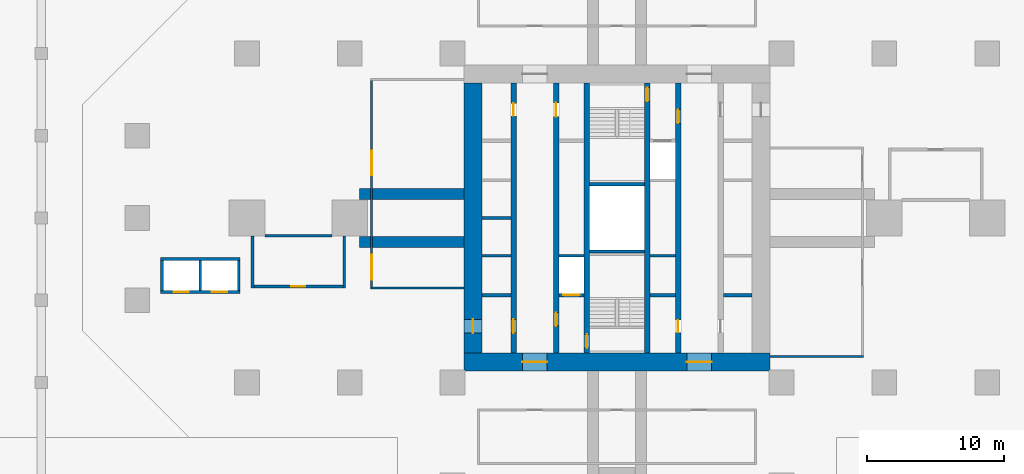
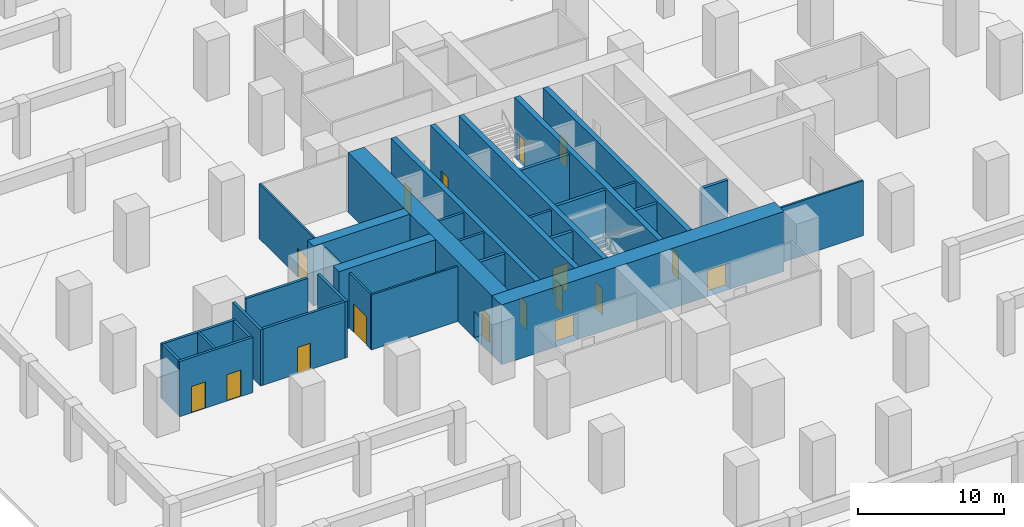
# One storey, part 5 of 20: 31 walls, 17 doors, 17 openings.
"""IFC4 building model written with IfcOpenShell, lengths in metres."""

from ifc_helpers import new_model, si_unit, direction, frame, frame_2d, origin, place, context, subcontext, project, spatial, rectangle, extrude, material, layer, layer_set, type_object, element, fill, save


model = new_model("IFC4")

# Units and contexts
model_context = context("Model", 3, precision=1e-05, world=origin(), true_north=direction((0.0, 1.0)))
body_context = subcontext(model_context, "Body", "Model", "MODEL_VIEW")
ifc_project = project(units=[si_unit("LENGTHUNIT", "METRE"), si_unit("AREAUNIT", "SQUARE_METRE"), si_unit("VOLUMEUNIT", "CUBIC_METRE"), si_unit("PLANEANGLEUNIT", "RADIAN"), si_unit("MASSUNIT", "GRAM", prefix="KILO")], contexts=[model_context])

# Site, building, storey
site_placement = place(None, origin())
site = spatial("IfcSite", under=ifc_project, at=site_placement, CompositionType="ELEMENT")
building_placement = place(site_placement, origin())
building = spatial("IfcBuilding", under=site, at=building_placement, Name="Mizan Broadcast Tower", CompositionType="ELEMENT")
storey_placement = place(building_placement, frame((0.0, 0.0, -5.0)))
storey = spatial("IfcBuildingStorey", under=building, at=storey_placement, Name="B1", CompositionType="ELEMENT", Elevation=-5.0)

# Wall, openings, doors
ifc_material_1 = material(Name="Concrete C70/85", Category="concrete")
ifc_layer_1 = layer(ifc_material_1, 0.39990234375)
ifc_layer_set_1 = layer_set([ifc_layer_1], Name="Concrete C70/85")
wall_type_1 = type_object("IfcWallType", Name="CORE INTERNAL WALL 400", PredefinedType="SHEAR", material=ifc_layer_set_1)
wall_1_placement = place(storey_placement, frame((-7.550048828125, -9.85009765625, 0.0), z_axis=(0.0, 0.0, 1.0), x_axis=(0.0, 1.0, 0.0)))
wall_1 = element("IfcWall", 1, at=wall_1_placement, inside=storey, type_object=wall_type_1, Name="Core wall CORE/XW1", PredefinedType="SHEAR", context=body_context, shape_type="SweptSolid", body=[
    extrude(rectangle(XDim=19.7001953125, YDim=0.39990234375, at=frame_2d((9.85009765625, 0.0))), origin(), (0.0, 0.0, 1.0), 5.0),
])
opening_1_placement = place(wall_1_placement, frame((1.449951171875, 0.0, 0.0)))
opening_1 = element("IfcOpeningElement", 2, at=opening_1_placement, cuts=wall_1, Name="Opening D10F", PredefinedType="OPENING", context=body_context, shape_type="SweptSolid", body=[
    extrude(rectangle(XDim=1.0, YDim=2.199951171875, at=frame_2d((0.5, 1.10009765625))), frame((0.0, 0.2099609375, 0.0), z_axis=(0.0, -1.0, 0.0), x_axis=(1.0, 0.0, 0.0)), (0.0, 0.0, 1.0), 0.419921875),
])
opening_2_placement = place(wall_1_placement, frame((17.300048828125, 0.0, 0.0)))
opening_2 = element("IfcOpeningElement", 3, at=opening_2_placement, cuts=wall_1, Name="Opening D09", PredefinedType="OPENING", context=body_context, shape_type="SweptSolid", body=[
    extrude(rectangle(XDim=0.89990234375, YDim=2.10009765625, at=frame_2d((0.449951171875, 1.050048828125))), frame((0.0, 0.2099609375, 0.0), z_axis=(0.0, -1.0, 0.0), x_axis=(1.0, 0.0, 0.0)), (0.0, 0.0, 1.0), 0.419921875),
])
ifc_material_2 = material(Name="Steel door leaf in steel frame", Category="steel")
door_type_1 = type_object("IfcDoorType", Name="FIRE DOOR 1000 FD90", OperationType="SINGLE_SWING_LEFT", PredefinedType="DOOR", material=ifc_material_2)
door_1_placement = place(opening_1_placement, origin())
door_1 = element("IfcDoor", 4, at=door_1_placement, inside=storey, type_object=door_type_1, Name="West core passage door", OperationType="SINGLE_SWING_LEFT", OverallHeight=2.199951171875, OverallWidth=1.0, PredefinedType="DOOR", context=body_context, shape_type="SweptSolid", body=[
    extrude(rectangle(XDim=1.0, YDim=2.199951171875, at=frame_2d((0.5, 1.10009765625))), frame((0.0, 0.02490234375, 0.0), z_axis=(0.0, -1.0, 0.0), x_axis=(1.0, 0.0, 0.0)), (0.0, 0.0, 1.0), 0.050048828125),
])
fill(opening_1, door_1)
ifc_material_3 = material(Name="Timber door leaf in aluminium frame", Category="wood")
door_type_2 = type_object("IfcDoorType", Name="TOILET DOOR 900", OperationType="SINGLE_SWING_LEFT", PredefinedType="DOOR", material=ifc_material_3)
door_2_placement = place(opening_2_placement, origin())
door_2 = element("IfcDoor", 5, at=door_2_placement, inside=storey, type_object=door_type_2, Name="Male WC door", OperationType="SINGLE_SWING_RIGHT", OverallHeight=2.10009765625, OverallWidth=0.89990234375, PredefinedType="DOOR", context=body_context, shape_type="SweptSolid", body=[
    extrude(rectangle(XDim=0.89990234375, YDim=2.10009765625, at=frame_2d((0.449951171875, 1.050048828125))), frame((0.0, 0.02490234375, 0.0), z_axis=(0.0, -1.0, 0.0), x_axis=(1.0, 0.0, 0.0)), (0.0, 0.0, 1.0), 0.050048828125),
])
fill(opening_2, door_2)

wall_2_placement = place(storey_placement, frame((-4.449951171875, -9.85009765625, 0.0), z_axis=(0.0, 0.0, 1.0), x_axis=(0.0, 1.0, 0.0)))
wall_2 = element("IfcWall", 6, at=wall_2_placement, inside=storey, type_object=wall_type_1, Name="Core wall CORE/XWH", PredefinedType="SHEAR", context=body_context, shape_type="SweptSolid", body=[
    extrude(rectangle(XDim=19.7001953125, YDim=0.39990234375, at=frame_2d((9.85009765625, 0.0))), origin(), (0.0, 0.0, 1.0), 5.0),
])
opening_3_placement = place(wall_2_placement, frame((1.949951171875, 0.0, 0.0)))
opening_3 = element("IfcOpeningElement", 7, at=opening_3_placement, cuts=wall_2, Name="Opening D10F", PredefinedType="OPENING", context=body_context, shape_type="SweptSolid", body=[
    extrude(rectangle(XDim=1.0, YDim=2.199951171875, at=frame_2d((0.5, 1.10009765625))), frame((0.0, 0.2099609375, 0.0), z_axis=(0.0, -1.0, 0.0), x_axis=(1.0, 0.0, 0.0)), (0.0, 0.0, 1.0), 0.419921875),
])
opening_4_placement = place(wall_2_placement, frame((17.25, 0.0, 0.0)))
opening_4 = element("IfcOpeningElement", 8, at=opening_4_placement, cuts=wall_2, Name="Opening D10A", PredefinedType="OPENING", context=body_context, shape_type="SweptSolid", body=[
    extrude(rectangle(XDim=1.0, YDim=2.10009765625, at=frame_2d((0.5, 1.050048828125))), frame((0.0, 0.2099609375, 0.0), z_axis=(0.0, -1.0, 0.0), x_axis=(1.0, 0.0, 0.0)), (0.0, 0.0, 1.0), 0.419921875),
])
ifc_material_4 = material(Name="Timber door leaf in aluminium frame", Category="wood")
door_type_3 = type_object("IfcDoorType", Name="ACCESSIBLE WC DOOR 1000", OperationType="SLIDING_TO_LEFT", PredefinedType="DOOR", material=ifc_material_4)
door_3_placement = place(opening_4_placement, origin())
door_3 = element("IfcDoor", 9, at=door_3_placement, inside=storey, type_object=door_type_3, Name="Accessible WC door", OperationType="SLIDING_TO_LEFT", OverallHeight=2.10009765625, OverallWidth=1.0, PredefinedType="DOOR", context=body_context, shape_type="SweptSolid", body=[
    extrude(rectangle(XDim=1.0, YDim=2.10009765625, at=frame_2d((0.5, 1.050048828125))), frame((0.0, 0.02490234375, 0.0), z_axis=(0.0, -1.0, 0.0), x_axis=(1.0, 0.0, 0.0)), (0.0, 0.0, 1.0), 0.050048828125),
])
fill(opening_4, door_3)
door_4_placement = place(opening_3_placement, origin())
door_4 = element("IfcDoor", 10, at=door_4_placement, inside=storey, type_object=door_type_1, Name="Firefighting lobby A door", OperationType="SINGLE_SWING_LEFT", OverallHeight=2.199951171875, OverallWidth=1.0, PredefinedType="DOOR", context=body_context, shape_type="SweptSolid", body=[
    extrude(rectangle(XDim=1.0, YDim=2.199951171875, at=frame_2d((0.5, 1.10009765625))), frame((0.0, 0.02490234375, 0.0), z_axis=(0.0, -1.0, 0.0), x_axis=(1.0, 0.0, 0.0)), (0.0, 0.0, 1.0), 0.050048828125),
])
fill(opening_3, door_4)

wall_3_placement = place(storey_placement, frame((4.449951171875, 9.85009765625, 0.0), z_axis=(0.0, 0.0, 1.0), x_axis=(0.0, -1.0, 0.0)))
wall_3 = element("IfcWall", 11, at=wall_3_placement, inside=storey, type_object=wall_type_1, Name="Core wall CORE/XWHE", PredefinedType="SHEAR", context=body_context, shape_type="SweptSolid", body=[
    extrude(rectangle(XDim=19.7001953125, YDim=0.39990234375, at=frame_2d((9.85009765625, 0.0))), origin(), (0.0, 0.0, 1.0), 5.0),
])
opening_5_placement = place(wall_3_placement, frame((1.949951171875, 0.0, 0.0)))
opening_5 = element("IfcOpeningElement", 12, at=opening_5_placement, cuts=wall_3, Name="Opening D10F", PredefinedType="OPENING", context=body_context, shape_type="SweptSolid", body=[
    extrude(rectangle(XDim=1.0, YDim=2.199951171875, at=frame_2d((0.5, 1.10009765625))), frame((0.0, 0.2099609375, 0.0), z_axis=(0.0, -1.0, 0.0), x_axis=(1.0, 0.0, 0.0)), (0.0, 0.0, 1.0), 0.419921875),
])
opening_6_placement = place(wall_3_placement, frame((17.300048828125, 0.0, 0.0)))
opening_6 = element("IfcOpeningElement", 13, at=opening_6_placement, cuts=wall_3, Name="Opening D09", PredefinedType="OPENING", context=body_context, shape_type="SweptSolid", body=[
    extrude(rectangle(XDim=0.89990234375, YDim=2.10009765625, at=frame_2d((0.449951171875, 1.050048828125))), frame((0.0, 0.2099609375, 0.0), z_axis=(0.0, -1.0, 0.0), x_axis=(1.0, 0.0, 0.0)), (0.0, 0.0, 1.0), 0.419921875),
])
door_5_placement = place(opening_5_placement, origin())
door_5 = element("IfcDoor", 14, at=door_5_placement, inside=storey, type_object=door_type_1, Name="Firefighting lobby B door", OperationType="SINGLE_SWING_LEFT", OverallHeight=2.199951171875, OverallWidth=1.0, PredefinedType="DOOR", context=body_context, shape_type="SweptSolid", body=[
    extrude(rectangle(XDim=1.0, YDim=2.199951171875, at=frame_2d((0.5, 1.10009765625))), frame((0.0, 0.02490234375, 0.0), z_axis=(0.0, -1.0, 0.0), x_axis=(1.0, 0.0, 0.0)), (0.0, 0.0, 1.0), 0.050048828125),
])
fill(opening_5, door_5)
door_6_placement = place(opening_6_placement, origin())
door_6 = element("IfcDoor", 15, at=door_6_placement, inside=storey, type_object=door_type_2, Name="Cleaner's store door", OperationType="SINGLE_SWING_RIGHT", OverallHeight=2.10009765625, OverallWidth=0.89990234375, PredefinedType="DOOR", context=body_context, shape_type="SweptSolid", body=[
    extrude(rectangle(XDim=0.89990234375, YDim=2.10009765625, at=frame_2d((0.449951171875, 1.050048828125))), frame((0.0, 0.02490234375, 0.0), z_axis=(0.0, -1.0, 0.0), x_axis=(1.0, 0.0, 0.0)), (0.0, 0.0, 1.0), 0.050048828125),
])
fill(opening_6, door_6)

# Wall, opening, door
wall_4_placement = place(storey_placement, frame((-2.199951171875, -9.85009765625, 0.0), z_axis=(0.0, 0.0, 1.0), x_axis=(0.0, 1.0, 0.0)))
wall_4 = element("IfcWall", 16, at=wall_4_placement, inside=storey, type_object=wall_type_1, Name="Core wall CORE/XW2", PredefinedType="SHEAR", context=body_context, shape_type="SweptSolid", body=[
    extrude(rectangle(XDim=19.7001953125, YDim=0.39990234375, at=frame_2d((9.85009765625, 0.0))), origin(), (0.0, 0.0, 1.0), 5.0),
])
opening_7_placement = place(wall_4_placement, frame((0.35009765625, 0.0, 0.0)))
opening_7 = element("IfcOpeningElement", 17, at=opening_7_placement, cuts=wall_4, Name="Opening D10S", PredefinedType="OPENING", context=body_context, shape_type="SweptSolid", body=[
    extrude(rectangle(XDim=1.0, YDim=2.199951171875, at=frame_2d((0.5, 1.10009765625))), frame((0.0, 0.2099609375, 0.0), z_axis=(0.0, -1.0, 0.0), x_axis=(1.0, 0.0, 0.0)), (0.0, 0.0, 1.0), 0.419921875),
])
ifc_material_5 = material(Name="Steel door leaf in steel frame", Category="steel")
door_type_4 = type_object("IfcDoorType", Name="STAIR DOOR 1000 FD90S", OperationType="SINGLE_SWING_RIGHT", PredefinedType="DOOR", material=ifc_material_5)
door_7_placement = place(opening_7_placement, origin())
door_7 = element("IfcDoor", 18, at=door_7_placement, inside=storey, type_object=door_type_4, Name="Stair A door", OperationType="SINGLE_SWING_RIGHT", OverallHeight=2.199951171875, OverallWidth=1.0, PredefinedType="DOOR", context=body_context, shape_type="SweptSolid", body=[
    extrude(rectangle(XDim=1.0, YDim=2.199951171875, at=frame_2d((0.5, 1.10009765625))), frame((0.0, 0.02490234375, 0.0), z_axis=(0.0, -1.0, 0.0), x_axis=(1.0, 0.0, 0.0)), (0.0, 0.0, 1.0), 0.050048828125),
])
fill(opening_7, door_7)

wall_5_placement = place(storey_placement, frame((2.199951171875, 9.85009765625, 0.0), z_axis=(0.0, 0.0, 1.0), x_axis=(0.0, -1.0, 0.0)))
wall_5 = element("IfcWall", 19, at=wall_5_placement, inside=storey, type_object=wall_type_1, Name="Core wall CORE/XW2E", PredefinedType="SHEAR", context=body_context, shape_type="SweptSolid", body=[
    extrude(rectangle(XDim=19.7001953125, YDim=0.39990234375, at=frame_2d((9.85009765625, 0.0))), origin(), (0.0, 0.0, 1.0), 5.0),
])
opening_8_placement = place(wall_5_placement, frame((0.35009765625, 0.0, 0.0)))
opening_8 = element("IfcOpeningElement", 20, at=opening_8_placement, cuts=wall_5, Name="Opening D10S", PredefinedType="OPENING", context=body_context, shape_type="SweptSolid", body=[
    extrude(rectangle(XDim=1.0, YDim=2.199951171875, at=frame_2d((0.5, 1.10009765625))), frame((0.0, 0.2099609375, 0.0), z_axis=(0.0, -1.0, 0.0), x_axis=(1.0, 0.0, 0.0)), (0.0, 0.0, 1.0), 0.419921875),
])
door_8_placement = place(opening_8_placement, origin())
door_8 = element("IfcDoor", 21, at=door_8_placement, inside=storey, type_object=door_type_4, Name="Stair B door", OperationType="SINGLE_SWING_RIGHT", OverallHeight=2.199951171875, OverallWidth=1.0, PredefinedType="DOOR", context=body_context, shape_type="SweptSolid", body=[
    extrude(rectangle(XDim=1.0, YDim=2.199951171875, at=frame_2d((0.5, 1.10009765625))), frame((0.0, 0.02490234375, 0.0), z_axis=(0.0, -1.0, 0.0), x_axis=(1.0, 0.0, 0.0)), (0.0, 0.0, 1.0), 0.050048828125),
])
fill(opening_8, door_8)

# Wall, openings, doors
ifc_material_6 = material(Name="Concrete C70/85", Category="concrete")
ifc_layer_2 = layer(ifc_material_6, 1.300048828125)
ifc_layer_set_2 = layer_set([ifc_layer_2], Name="Concrete C70/85")
wall_type_2 = type_object("IfcWallType", Name="CORE WALL 1300", PredefinedType="SHEAR", material=ifc_layer_set_2)
wall_6_placement = place(storey_placement, frame((11.14990234375, -10.5, 0.0), z_axis=(0.0, 0.0, 1.0), x_axis=(-1.0, 0.0, 0.0)))
wall_6 = element("IfcWall", 22, at=wall_6_placement, inside=storey, type_object=wall_type_2, Name="Core wall S B1", PredefinedType="SHEAR", context=body_context, shape_type="SweptSolid", body=[
    extrude(rectangle(XDim=22.2998046875, YDim=1.300048828125, at=frame_2d((11.14990234375, 0.0))), origin(), (0.0, 0.0, 1.0), 5.0),
])
opening_9_placement = place(wall_6_placement, frame((16.25, 0.0, 0.0)))
opening_9 = element("IfcOpeningElement", 23, at=opening_9_placement, cuts=wall_6, Name="Opening D18F", PredefinedType="OPENING", context=body_context, shape_type="SweptSolid", body=[
    extrude(rectangle(XDim=1.800048828125, YDim=2.199951171875, at=frame_2d((0.89990234375, 1.10009765625))), frame((0.0, 0.659912109375, 0.0), z_axis=(0.0, -1.0, 0.0), x_axis=(1.0, 0.0, 0.0)), (0.0, 0.0, 1.0), 1.320068359375),
])
opening_10_placement = place(wall_6_placement, frame((4.25, 0.0, 0.0)))
opening_10 = element("IfcOpeningElement", 24, at=opening_10_placement, cuts=wall_6, Name="Opening D18F", PredefinedType="OPENING", context=body_context, shape_type="SweptSolid", body=[
    extrude(rectangle(XDim=1.800048828125, YDim=2.199951171875, at=frame_2d((0.89990234375, 1.10009765625))), frame((0.0, 0.659912109375, 0.0), z_axis=(0.0, -1.0, 0.0), x_axis=(1.0, 0.0, 0.0)), (0.0, 0.0, 1.0), 1.320068359375),
])
ifc_material_7 = material(Name="Steel door leaf in steel frame", Category="steel")
door_type_5 = type_object("IfcDoorType", Name="LOBBY DOUBLE DOOR 1800 FD90", OperationType="DOUBLE_DOOR_DOUBLE_SWING", PredefinedType="DOOR", material=ifc_material_7)
door_9_placement = place(opening_9_placement, origin())
door_9 = element("IfcDoor", 25, at=door_9_placement, inside=storey, type_object=door_type_5, Name="West lift lobby south door", OperationType="DOUBLE_DOOR_DOUBLE_SWING", OverallHeight=2.199951171875, OverallWidth=1.800048828125, PredefinedType="DOOR", context=body_context, shape_type="SweptSolid", body=[
    extrude(rectangle(XDim=1.800048828125, YDim=2.199951171875, at=frame_2d((0.89990234375, 1.10009765625))), frame((0.0, 0.02490234375, 0.0), z_axis=(0.0, -1.0, 0.0), x_axis=(1.0, 0.0, 0.0)), (0.0, 0.0, 1.0), 0.050048828125),
])
fill(opening_9, door_9)
door_10_placement = place(opening_10_placement, origin())
door_10 = element("IfcDoor", 26, at=door_10_placement, inside=storey, type_object=door_type_5, Name="East lift lobby south door", OperationType="DOUBLE_DOOR_DOUBLE_SWING", OverallHeight=2.199951171875, OverallWidth=1.800048828125, PredefinedType="DOOR", context=body_context, shape_type="SweptSolid", body=[
    extrude(rectangle(XDim=1.800048828125, YDim=2.199951171875, at=frame_2d((0.89990234375, 1.10009765625))), frame((0.0, 0.02490234375, 0.0), z_axis=(0.0, -1.0, 0.0), x_axis=(1.0, 0.0, 0.0)), (0.0, 0.0, 1.0), 0.050048828125),
])
fill(opening_10, door_10)

# Wall, opening, door
wall_7_placement = place(storey_placement, frame((-10.5, 9.85009765625, 0.0), z_axis=(0.0, 0.0, 1.0), x_axis=(0.0, -1.0, 0.0)))
wall_7 = element("IfcWall", 27, at=wall_7_placement, inside=storey, type_object=wall_type_2, Name="Core wall W B1", PredefinedType="SHEAR", context=body_context, shape_type="SweptSolid", body=[
    extrude(rectangle(XDim=19.7001953125, YDim=1.300048828125, at=frame_2d((9.85009765625, 0.0))), origin(), (0.0, 0.0, 1.0), 5.0),
])
opening_11_placement = place(wall_7_placement, frame((17.25, 0.0, 0.0)))
opening_11 = element("IfcOpeningElement", 28, at=opening_11_placement, cuts=wall_7, Name="Opening D10F", PredefinedType="OPENING", context=body_context, shape_type="SweptSolid", body=[
    extrude(rectangle(XDim=1.0, YDim=2.199951171875, at=frame_2d((0.5, 1.10009765625))), frame((0.0, 0.659912109375, 0.0), z_axis=(0.0, -1.0, 0.0), x_axis=(1.0, 0.0, 0.0)), (0.0, 0.0, 1.0), 1.320068359375),
])
door_11_placement = place(opening_11_placement, origin())
door_11 = element("IfcDoor", 29, at=door_11_placement, inside=storey, type_object=door_type_1, Name="West core passage arm door", OperationType="SINGLE_SWING_RIGHT", OverallHeight=2.199951171875, OverallWidth=1.0, PredefinedType="DOOR", context=body_context, shape_type="SweptSolid", body=[
    extrude(rectangle(XDim=1.0, YDim=2.199951171875, at=frame_2d((0.5, 1.10009765625))), frame((0.0, 0.02490234375, 0.0), z_axis=(0.0, -1.0, 0.0), x_axis=(1.0, 0.0, 0.0)), (0.0, 0.0, 1.0), 0.050048828125),
])
fill(opening_11, door_11)

# Walls
ifc_material_8 = material(Name="Concrete blockwork", Category="masonry")
ifc_layer_3 = layer(ifc_material_8, 0.199951171875)
ifc_layer_set_3 = layer_set([ifc_layer_3], Name="Concrete blockwork")
wall_type_3 = type_object("IfcWallType", Name="LIFT SHAFT WALL 200", PredefinedType="SOLIDWALL", material=ifc_layer_set_3)
wall_8_placement = place(storey_placement, frame((-9.85009765625, -2.75, 0.0), z_axis=(0.0, 0.0, 1.0), x_axis=(1.0, 0.0, 0.0)))
element("IfcWall", 30, at=wall_8_placement, inside=storey, type_object=wall_type_3, Name="Lift shaft wall CORE/SW1-1", PredefinedType="SOLIDWALL", context=body_context, shape_type="SweptSolid", body=[
    extrude(rectangle(XDim=2.10009765625, YDim=0.199951171875, at=frame_2d((1.050048828125, 0.0))), origin(), (0.0, 0.0, 1.0), 4.800048828125),
])
for number, where, z_axis, x_axis, name in (
    (31, (-4.25, -2.75, 0.0), (0.0, 0.0, 1.0), (1.0, 0.0, 0.0), "Lift shaft wall CORE/SW2-1"),
    (32, (2.39990234375, -2.75, 0.0), (0.0, 0.0, 1.0), (1.0, 0.0, 0.0), "Lift shaft wall CORE/SE2-1"),
):
    element("IfcWall", number, at=place(storey_placement, frame(where, z_axis=z_axis, x_axis=x_axis)), inside=storey, type_object=wall_type_3, Name=name, PredefinedType="SOLIDWALL", context=body_context, shape_type="SweptSolid", body=[
        extrude(rectangle(XDim=1.85009765625, YDim=0.199951171875, at=frame_2d((0.925048828125, 0.0))), origin(), (0.0, 0.0, 1.0), 4.800048828125),
    ])
wall_9_placement = place(storey_placement, frame((-9.85009765625, 0.0, 0.0), z_axis=(0.0, 0.0, 1.0), x_axis=(1.0, 0.0, 0.0)))
element("IfcWall", 33, at=wall_9_placement, inside=storey, type_object=wall_type_3, Name="Lift shaft wall CORE/SW1-2", PredefinedType="SOLIDWALL", context=body_context, shape_type="SweptSolid", body=[
    extrude(rectangle(XDim=2.10009765625, YDim=0.199951171875, at=frame_2d((1.050048828125, 0.0))), origin(), (0.0, 0.0, 1.0), 4.800048828125),
])
wall_10_placement = place(storey_placement, frame((-27.5, -3.0, 0.0), z_axis=(0.0, 0.0, 1.0), x_axis=(-1.0, 0.0, 0.0)))
element("IfcWall", 34, at=wall_10_placement, inside=storey, type_object=wall_type_3, Name="Lift shaft wall PLS/V0", PredefinedType="SOLIDWALL", context=body_context, shape_type="SweptSolid", body=[
    extrude(rectangle(XDim=5.800048828125, YDim=0.199951171875, at=frame_2d((2.89990234375, 0.0))), origin(), (0.0, 0.0, 1.0), 4.60009765625),
])

# Wall, openings, doors
wall_11_placement = place(storey_placement, frame((-33.300048828125, -5.39990234375, 0.0), z_axis=(0.0, 0.0, 1.0), x_axis=(1.0, 0.0, 0.0)))
wall_11 = element("IfcWall", 35, at=wall_11_placement, inside=storey, type_object=wall_type_3, Name="Lift shaft wall PLS/V1", PredefinedType="SOLIDWALL", context=body_context, shape_type="SweptSolid", body=[
    extrude(rectangle(XDim=5.800048828125, YDim=0.199951171875, at=frame_2d((2.89990234375, 0.0))), origin(), (0.0, 0.0, 1.0), 4.60009765625),
])
opening_12_placement = place(wall_11_placement, frame((3.75, 0.0, 0.0)))
opening_12 = element("IfcOpeningElement", 36, at=opening_12_placement, cuts=wall_11, Name="Opening LDP", PredefinedType="OPENING", context=body_context, shape_type="SweptSolid", body=[
    extrude(rectangle(XDim=1.10009765625, YDim=2.199951171875, at=frame_2d((0.550048828125, 1.10009765625))), frame((0.0, 0.10986328125, 0.0), z_axis=(0.0, -1.0, 0.0), x_axis=(1.0, 0.0, 0.0)), (0.0, 0.0, 1.0), 0.219970703125),
])
opening_13_placement = place(wall_11_placement, frame((0.949951171875, 0.0, 0.0)))
opening_13 = element("IfcOpeningElement", 37, at=opening_13_placement, cuts=wall_11, Name="Opening LDP", PredefinedType="OPENING", context=body_context, shape_type="SweptSolid", body=[
    extrude(rectangle(XDim=1.10009765625, YDim=2.199951171875, at=frame_2d((0.550048828125, 1.10009765625))), frame((0.0, 0.10986328125, 0.0), z_axis=(0.0, -1.0, 0.0), x_axis=(1.0, 0.0, 0.0)), (0.0, 0.0, 1.0), 0.219970703125),
])
ifc_material_9 = material(Name="Steel door leaf in steel frame", Category="steel")
door_type_6 = type_object("IfcDoorType", Name="PODIUM LIFT LANDING DOOR 1100", OperationType="SLIDING_TO_LEFT", PredefinedType="DOOR", material=ifc_material_9)
door_12_placement = place(opening_12_placement, origin())
door_12 = element("IfcDoor", 38, at=door_12_placement, inside=storey, type_object=door_type_6, Name="Landing door PL1", OperationType="SLIDING_TO_LEFT", OverallHeight=2.199951171875, OverallWidth=1.10009765625, PredefinedType="DOOR", context=body_context, shape_type="SweptSolid", body=[
    extrude(rectangle(XDim=1.10009765625, YDim=2.199951171875, at=frame_2d((0.550048828125, 1.10009765625))), frame((0.0, 0.02490234375, 0.0), z_axis=(0.0, -1.0, 0.0), x_axis=(1.0, 0.0, 0.0)), (0.0, 0.0, 1.0), 0.050048828125),
])
fill(opening_12, door_12)
door_13_placement = place(opening_13_placement, origin())
door_13 = element("IfcDoor", 39, at=door_13_placement, inside=storey, type_object=door_type_6, Name="Landing door PL2", OperationType="SLIDING_TO_LEFT", OverallHeight=2.199951171875, OverallWidth=1.10009765625, PredefinedType="DOOR", context=body_context, shape_type="SweptSolid", body=[
    extrude(rectangle(XDim=1.10009765625, YDim=2.199951171875, at=frame_2d((0.550048828125, 1.10009765625))), frame((0.0, 0.02490234375, 0.0), z_axis=(0.0, -1.0, 0.0), x_axis=(1.0, 0.0, 0.0)), (0.0, 0.0, 1.0), 0.050048828125),
])
fill(opening_13, door_13)

# Walls
for number, where, z_axis, x_axis, name in (
    (40, (-27.60009765625, -3.10009765625, 0.0), (0.0, 0.0, 1.0), (0.0, -1.0, 0.0), "Lift shaft wall PLS/U0"),
    (41, (-30.39990234375, -3.10009765625, 0.0), (0.0, 0.0, 1.0), (0.0, -1.0, 0.0), "Lift shaft wall PLS/U1"),
    (42, (-33.199951171875, -3.10009765625, 0.0), (0.0, 0.0, 1.0), (0.0, -1.0, 0.0), "Lift shaft wall PLS/U2"),
):
    element("IfcWall", number, at=place(storey_placement, frame(where, z_axis=z_axis, x_axis=x_axis)), inside=storey, type_object=wall_type_3, Name=name, PredefinedType="SOLIDWALL", context=body_context, shape_type="SweptSolid", body=[
        extrude(rectangle(XDim=2.199951171875, YDim=0.199951171875, at=frame_2d((1.10009765625, 0.0))), origin(), (0.0, 0.0, 1.0), 4.60009765625),
    ])
ifc_material_10 = material(Name="Concrete blockwork", Category="masonry")
ifc_layer_4 = layer(ifc_material_10, 0.25)
ifc_layer_set_4 = layer_set([ifc_layer_4], Name="Concrete blockwork")
wall_type_4 = type_object("IfcWallType", Name="LOBBY ENCLOSURE WALL 250", PredefinedType="SOLIDWALL", material=ifc_layer_set_4)
wall_12_placement = place(storey_placement, frame((-9.85009765625, -5.625, 0.0), z_axis=(0.0, 0.0, 1.0), x_axis=(1.0, 0.0, 0.0)))
element("IfcWall", 43, at=wall_12_placement, inside=storey, type_object=wall_type_4, Name="Lobby enclosure wall CORE/BW1S", PredefinedType="SOLIDWALL", context=body_context, shape_type="SweptSolid", body=[
    extrude(rectangle(XDim=2.10009765625, YDim=0.25, at=frame_2d((1.050048828125, 0.0))), origin(), (0.0, 0.0, 1.0), 4.800048828125),
])

# Wall, opening, door
wall_13_placement = place(storey_placement, frame((-4.25, -5.625, 0.0), z_axis=(0.0, 0.0, 1.0), x_axis=(1.0, 0.0, 0.0)))
wall_13 = element("IfcWall", 44, at=wall_13_placement, inside=storey, type_object=wall_type_4, Name="Lobby enclosure wall CORE/BW2S", PredefinedType="SOLIDWALL", context=body_context, shape_type="SweptSolid", body=[
    extrude(rectangle(XDim=1.85009765625, YDim=0.25, at=frame_2d((0.925048828125, 0.0))), origin(), (0.0, 0.0, 1.0), 4.800048828125),
])
opening_14_placement = place(wall_13_placement, frame((0.324951171875, 0.0, 0.0)))
opening_14 = element("IfcOpeningElement", 45, at=opening_14_placement, cuts=wall_13, Name="Opening LDF", PredefinedType="OPENING", context=body_context, shape_type="SweptSolid", body=[
    extrude(rectangle(XDim=1.199951171875, YDim=2.199951171875, at=frame_2d((0.60009765625, 1.10009765625))), frame((0.0, 0.135009765625, 0.0), z_axis=(0.0, -1.0, 0.0), x_axis=(1.0, 0.0, 0.0)), (0.0, 0.0, 1.0), 0.27001953125),
])
ifc_material_11 = material(Name="Steel door leaf in steel frame", Category="steel")
door_type_7 = type_object("IfcDoorType", Name="FIREFIGHTING LIFT LANDING DOOR 1200", OperationType="SLIDING_TO_LEFT", PredefinedType="DOOR", material=ifc_material_11)
door_14_placement = place(opening_14_placement, origin())
door_14 = element("IfcDoor", 46, at=door_14_placement, inside=storey, type_object=door_type_7, Name="Landing door FF1", OperationType="SLIDING_TO_LEFT", OverallHeight=2.199951171875, OverallWidth=1.199951171875, PredefinedType="DOOR", context=body_context, shape_type="SweptSolid", body=[
    extrude(rectangle(XDim=1.199951171875, YDim=2.199951171875, at=frame_2d((0.60009765625, 1.10009765625))), frame((0.0, 0.02490234375, 0.0), z_axis=(0.0, -1.0, 0.0), x_axis=(1.0, 0.0, 0.0)), (0.0, 0.0, 1.0), 0.050048828125),
])
fill(opening_14, door_14)

# Walls
wall_14_placement = place(storey_placement, frame((2.39990234375, -5.625, 0.0), z_axis=(0.0, 0.0, 1.0), x_axis=(1.0, 0.0, 0.0)))
element("IfcWall", 47, at=wall_14_placement, inside=storey, type_object=wall_type_4, Name="Lobby enclosure wall CORE/BE2S", PredefinedType="SOLIDWALL", context=body_context, shape_type="SweptSolid", body=[
    extrude(rectangle(XDim=1.85009765625, YDim=0.25, at=frame_2d((0.925048828125, 0.0))), origin(), (0.0, 0.0, 1.0), 4.800048828125),
])
wall_15_placement = place(storey_placement, frame((7.75, -5.625, 0.0), z_axis=(0.0, 0.0, 1.0), x_axis=(1.0, 0.0, 0.0)))
element("IfcWall", 48, at=wall_15_placement, inside=storey, type_object=wall_type_4, Name="Lobby enclosure wall CORE/BE1S", PredefinedType="SOLIDWALL", context=body_context, shape_type="SweptSolid", body=[
    extrude(rectangle(XDim=2.10009765625, YDim=0.25, at=frame_2d((1.050048828125, 0.0))), origin(), (0.0, 0.0, 1.0), 4.800048828125),
])
for number, where, z_axis, x_axis, name in (
    (49, (-2.0, -2.449951171875, 0.0), (0.0, 0.0, 1.0), (1.0, 0.0, 0.0), "Lobby enclosure wall CORE/STA"),
    (50, (-2.0, 2.449951171875, 0.0), (0.0, 0.0, 1.0), (1.0, 0.0, 0.0), "Lobby enclosure wall CORE/STB"),
):
    element("IfcWall", number, at=place(storey_placement, frame(where, z_axis=z_axis, x_axis=x_axis)), inside=storey, type_object=wall_type_4, Name=name, PredefinedType="SOLIDWALL", context=body_context, shape_type="SweptSolid", body=[
        extrude(rectangle(XDim=4.0, YDim=0.25, at=frame_2d((2.0, 0.0))), origin(), (0.0, 0.0, 1.0), 4.800048828125),
    ])
ifc_material_12 = material(Name="Concrete blockwork", Category="masonry")
ifc_layer_5 = layer(ifc_material_12, 0.14990234375)
ifc_layer_set_5 = layer_set([ifc_layer_5], Name="Concrete blockwork")
wall_type_5 = type_object("IfcWallType", Name="PLANT ROOM ENCLOSURE WALL 150", PredefinedType="SOLIDWALL", material=ifc_layer_set_5)
for number, where, z_axis, x_axis, name in (
    (51, (11.14990234375, -10.10009765625, 0.0), (0.0, 0.0, 1.0), (1.0, 0.0, 0.0), "Plant room wall PT/ES"),
    (52, (-11.14990234375, -5.10009765625, 0.0), (0.0, 0.0, 1.0), (-1.0, 0.0, 0.0), "Plant room wall PT/WN"),
):
    element("IfcWall", number, at=place(storey_placement, frame(where, z_axis=z_axis, x_axis=x_axis)), inside=storey, type_object=wall_type_5, Name=name, PredefinedType="SOLIDWALL", context=body_context, shape_type="SweptSolid", body=[
        extrude(rectangle(XDim=6.8251953125, YDim=0.14990234375, at=frame_2d((3.41259765625, 0.0))), origin(), (0.0, 0.0, 1.0), 4.60009765625),
    ])

# Wall, openings, doors
wall_16_placement = place(storey_placement, frame((-17.89990234375, 10.175048828125, 0.0), z_axis=(0.0, 0.0, 1.0), x_axis=(0.0, -1.0, 0.0)))
wall_16 = element("IfcWall", 53, at=wall_16_placement, inside=storey, type_object=wall_type_5, Name="Plant room wall PT/WX", PredefinedType="SOLIDWALL", context=body_context, shape_type="SweptSolid", body=[
    extrude(rectangle(XDim=15.35009765625, YDim=0.14990234375, at=frame_2d((7.675048828125, 0.0))), origin(), (0.0, 0.0, 1.0), 4.60009765625),
])
opening_15_placement = place(wall_16_placement, frame((5.27490234375, 0.0, 0.0)))
opening_15 = element("IfcOpeningElement", 54, at=opening_15_placement, cuts=wall_16, Name="Opening D18P", PredefinedType="OPENING", context=body_context, shape_type="SweptSolid", body=[
    extrude(rectangle(XDim=1.800048828125, YDim=2.39990234375, at=frame_2d((0.89990234375, 1.199951171875))), frame((0.0, 0.0849609375, 0.0), z_axis=(0.0, -1.0, 0.0), x_axis=(1.0, 0.0, 0.0)), (0.0, 0.0, 1.0), 0.169921875),
])
opening_16_placement = place(wall_16_placement, frame((12.875, 0.0, 0.0)))
opening_16 = element("IfcOpeningElement", 55, at=opening_16_placement, cuts=wall_16, Name="Opening D18P", PredefinedType="OPENING", context=body_context, shape_type="SweptSolid", body=[
    extrude(rectangle(XDim=1.800048828125, YDim=2.39990234375, at=frame_2d((0.89990234375, 1.199951171875))), frame((0.0, 0.0849609375, 0.0), z_axis=(0.0, -1.0, 0.0), x_axis=(1.0, 0.0, 0.0)), (0.0, 0.0, 1.0), 0.169921875),
])
ifc_material_13 = material(Name="Steel door leaf in steel frame", Category="steel")
door_type_8 = type_object("IfcDoorType", Name="PLANT ROOM DOUBLE DOOR 1800x2400 FD90", OperationType="DOUBLE_DOOR_DOUBLE_SWING", PredefinedType="DOOR", material=ifc_material_13)
door_15_placement = place(opening_15_placement, origin())
door_15 = element("IfcDoor", 56, at=door_15_placement, inside=storey, type_object=door_type_8, Name="Standby generator room door", OperationType="DOUBLE_DOOR_DOUBLE_SWING", OverallHeight=2.39990234375, OverallWidth=1.800048828125, PredefinedType="DOOR", context=body_context, shape_type="SweptSolid", body=[
    extrude(rectangle(XDim=1.800048828125, YDim=2.39990234375, at=frame_2d((0.89990234375, 1.199951171875))), frame((0.0, 0.02490234375, 0.0), z_axis=(0.0, -1.0, 0.0), x_axis=(1.0, 0.0, 0.0)), (0.0, 0.0, 1.0), 0.050048828125),
])
fill(opening_15, door_15)
door_16_placement = place(opening_16_placement, origin())
door_16 = element("IfcDoor", 57, at=door_16_placement, inside=storey, type_object=door_type_8, Name="Standby generator room door", OperationType="DOUBLE_DOOR_DOUBLE_SWING", OverallHeight=2.39990234375, OverallWidth=1.800048828125, PredefinedType="DOOR", context=body_context, shape_type="SweptSolid", body=[
    extrude(rectangle(XDim=1.800048828125, YDim=2.39990234375, at=frame_2d((0.89990234375, 1.199951171875))), frame((0.0, 0.02490234375, 0.0), z_axis=(0.0, -1.0, 0.0), x_axis=(1.0, 0.0, 0.0)), (0.0, 0.0, 1.0), 0.050048828125),
])
fill(opening_16, door_16)

# Walls
ifc_material_14 = material(Name="Concrete C70/85", Category="concrete")
ifc_layer_6 = layer(ifc_material_14, 0.800048828125)
ifc_layer_set_6 = layer_set([ifc_layer_6], Name="Concrete C70/85")
wall_type_6 = type_object("IfcWallType", Name="SPINE WALL 800", PredefinedType="SHEAR", material=ifc_layer_set_6)
for number, where, z_axis, x_axis, name in (
    (58, (-11.14990234375, 1.75, 0.0), (0.0, 0.0, 1.0), (-1.0, 0.0, 0.0), "Spine wall WR B1"),
    (59, (-11.14990234375, -1.75, 0.0), (0.0, 0.0, 1.0), (-1.0, 0.0, 0.0), "Spine wall WL B1"),
):
    element("IfcWall", number, at=place(storey_placement, frame(where, z_axis=z_axis, x_axis=x_axis)), inside=storey, type_object=wall_type_6, Name=name, PredefinedType="SHEAR", context=body_context, shape_type="SweptSolid", body=[
        extrude(rectangle(XDim=7.625, YDim=0.800048828125, at=frame_2d((3.8125, 0.0))), origin(), (0.0, 0.0, 1.0), 5.0),
    ])
ifc_material_15 = material(Name="Concrete C40/50", Category="concrete")
ifc_layer_7 = layer(ifc_material_15, 0.199951171875)
ifc_layer_set_7 = layer_set([ifc_layer_7], Name="Concrete C40/50")
wall_type_7 = type_object("IfcWallType", Name="STAIR SHAFT WALL 200 RC", PredefinedType="SOLIDWALL", material=ifc_layer_set_7)
for number, where, z_axis, x_axis, name in (
    (60, (-19.89990234375, -1.300048828125, 0.0), (0.0, 0.0, 1.0), (0.0, -1.0, 0.0), "Stair shaft wall D U0 B1"),
    (61, (-26.60009765625, -5.10009765625, 0.0), (0.0, 0.0, 1.0), (0.0, 1.0, 0.0), "Stair shaft wall D U1 B1"),
):
    element("IfcWall", number, at=place(storey_placement, frame(where, z_axis=z_axis, x_axis=x_axis)), inside=storey, type_object=wall_type_7, Name=name, PredefinedType="SOLIDWALL", context=body_context, shape_type="SweptSolid", body=[
        extrude(rectangle(XDim=3.800048828125, YDim=0.199951171875, at=frame_2d((1.89990234375, 0.0))), origin(), (0.0, 0.0, 1.0), 4.699951171875),
    ])
wall_17_placement = place(storey_placement, frame((-20.800048828125, -1.300048828125, 0.0), z_axis=(0.0, 0.0, 1.0), x_axis=(-1.0, 0.0, 0.0)))
element("IfcWall", 62, at=wall_17_placement, inside=storey, type_object=wall_type_7, Name="Stair shaft wall D V0 B1", PredefinedType="SOLIDWALL", context=body_context, shape_type="SweptSolid", body=[
    extrude(rectangle(XDim=4.89990234375, YDim=0.199951171875, at=frame_2d((2.449951171875, 0.0))), origin(), (0.0, 0.0, 1.0), 4.699951171875),
])

# Wall, opening, door
wall_18_placement = place(storey_placement, frame((-26.5, -5.0, 0.0), z_axis=(0.0, 0.0, 1.0), x_axis=(1.0, 0.0, 0.0)))
wall_18 = element("IfcWall", 63, at=wall_18_placement, inside=storey, type_object=wall_type_7, Name="Stair shaft wall D V1 B1", PredefinedType="SOLIDWALL", context=body_context, shape_type="SweptSolid", body=[
    extrude(rectangle(XDim=6.5, YDim=0.199951171875, at=frame_2d((3.25, 0.0))), origin(), (0.0, 0.0, 1.0), 4.699951171875),
])
opening_17_placement = place(wall_18_placement, frame((2.75, 0.0, 0.0)))
opening_17 = element("IfcOpeningElement", 64, at=opening_17_placement, cuts=wall_18, Name="Opening D10F", PredefinedType="OPENING", context=body_context, shape_type="SweptSolid", body=[
    extrude(rectangle(XDim=1.0, YDim=2.199951171875, at=frame_2d((0.5, 1.10009765625))), frame((0.0, 0.10986328125, 0.0), z_axis=(0.0, -1.0, 0.0), x_axis=(1.0, 0.0, 0.0)), (0.0, 0.0, 1.0), 0.219970703125),
])
door_17_placement = place(opening_17_placement, origin())
door_17 = element("IfcDoor", 65, at=door_17_placement, inside=storey, type_object=door_type_1, Name="Car park store D door", OperationType="SINGLE_SWING_RIGHT", OverallHeight=2.199951171875, OverallWidth=1.0, PredefinedType="DOOR", context=body_context, shape_type="SweptSolid", body=[
    extrude(rectangle(XDim=1.0, YDim=2.199951171875, at=frame_2d((0.5, 1.10009765625))), frame((0.0, 0.02490234375, 0.0), z_axis=(0.0, -1.0, 0.0), x_axis=(1.0, 0.0, 0.0)), (0.0, 0.0, 1.0), 0.050048828125),
])
fill(opening_17, door_17)

save(model, "model.ifc")
